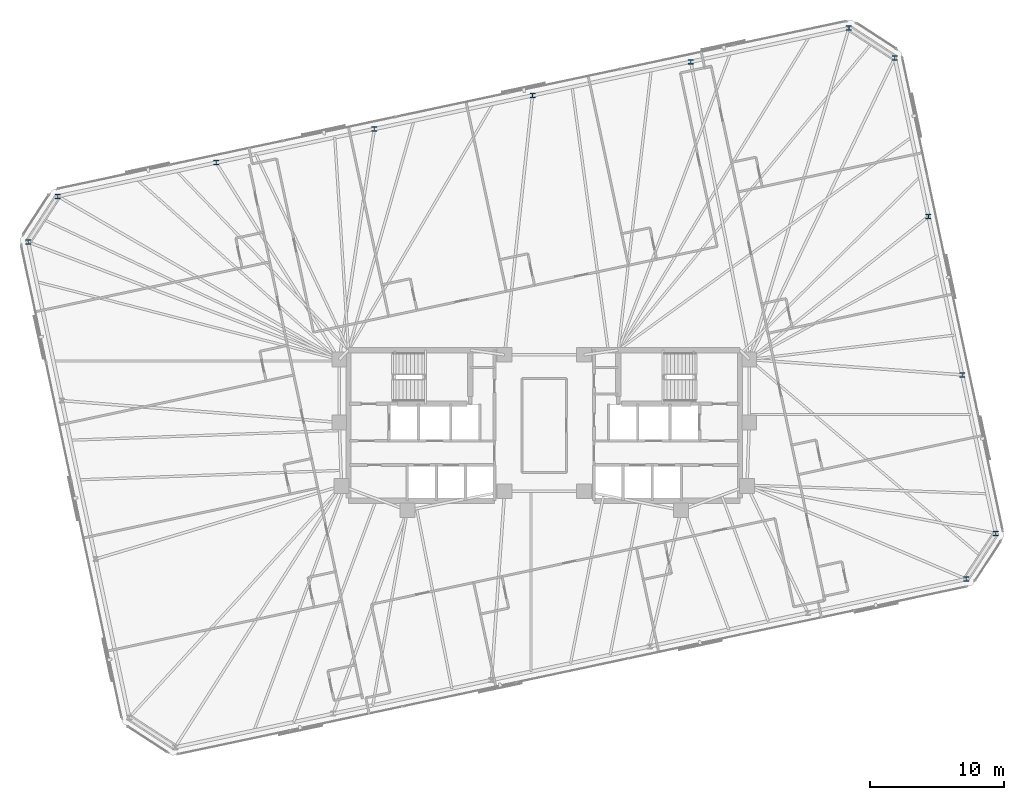
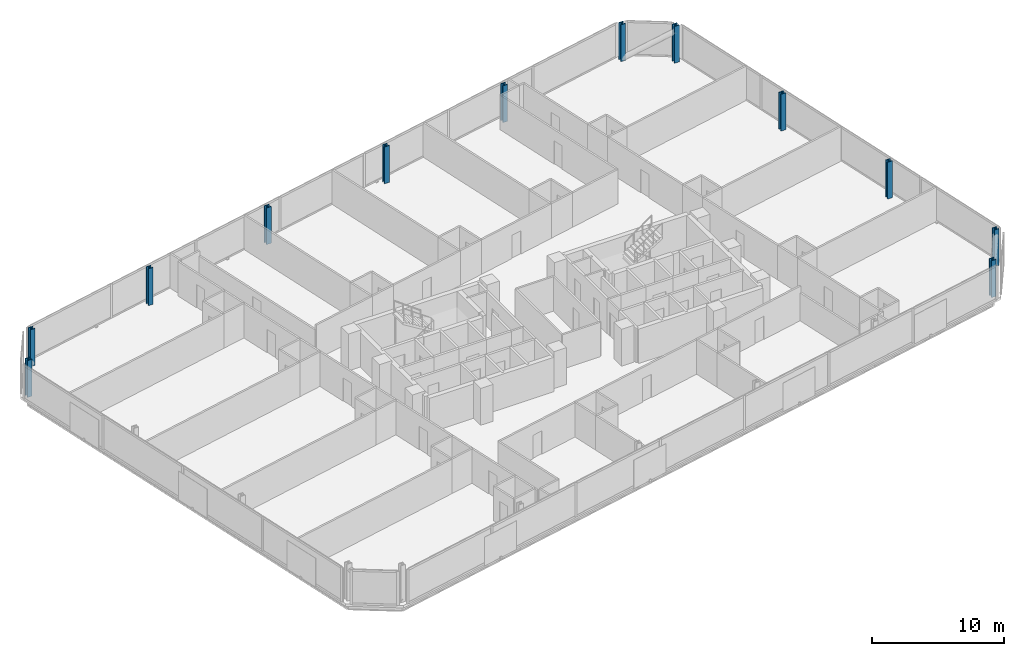
# One storey, part 5 of 19: 12 columns.
"""IFC4 building model written with IfcOpenShell, lengths in metres."""

import ifcopenshell
import ifcopenshell.guid

model = None  # the IFC model being written
_history = None  # IfcOwnerHistory: only IFC2X3 demands one
_inside = {}  # id of a spatial element -> (the spatial element, [elements in it])
_under = {}  # id of a project, library or spatial element -> (it, [spatial elements below it])
_declared = {}  # id of a project -> (the project, [libraries it declares])
_typed = {}  # id of a type object -> (the type object, [elements of that type])
_made_of = {}  # id of a material, layer set ... -> (it, [elements and type objects made of it])


def new_model(schema):
    """Start an empty IFC model of exactly this schema.

    Asked for "IFC4X3", IfcOpenShell would pick the latest addendum, in which some entities
    have other attributes; the version numbers below select the first issue.
    IFC2X3 requires an IfcOwnerHistory on every rooted entity: one is made here for all.
    """
    global model, _history
    if schema == "IFC4X3":
        model = ifcopenshell.file(schema_version=(4, 3, 0, 0))
    else:
        model = ifcopenshell.file(schema=schema)
    _inside.clear()
    _under.clear()
    _declared.clear()
    _typed.clear()
    _made_of.clear()
    _history = None
    if model.schema == "IFC2X3":
        org = make("IfcOrganization", Name="unknown")
        user = make(
            "IfcPersonAndOrganization",
            ThePerson=make("IfcPerson", FamilyName="unknown"),
            TheOrganization=org,
        )
        app = make(
            "IfcApplication",
            ApplicationDeveloper=org,
            Version="unknown",
            ApplicationFullName="unknown",
            ApplicationIdentifier="unknown",
        )
        _history = make(
            "IfcOwnerHistory",
            OwningUser=user,
            OwningApplication=app,
            ChangeAction="ADDED",
            CreationDate=0,
        )
    return model


def make(cls, **values):
    """One entity of the class cls with the attributes given. An attribute that is None is left unset."""
    return model.create_entity(
        cls, **{name: value for name, value in values.items() if value is not None}
    )


def rooted(cls, **values):
    """An entity with a GlobalId (a new one), such as an element, a storey or a relation."""
    return make(cls, GlobalId=ifcopenshell.guid.new(), OwnerHistory=_history, **values)


def si_unit(unit_type, name, prefix=None):
    """IfcSIUnit, for example si_unit("LENGTHUNIT", "METRE", prefix="MILLI")."""
    return make("IfcSIUnit", UnitType=unit_type, Prefix=prefix, Name=name)


def assignment(units):
    """IfcUnitAssignment: the units of a project."""
    return None if units is None else make("IfcUnitAssignment", Units=units)


def point(xyz):
    """IfcCartesianPoint."""
    return None if xyz is None else make("IfcCartesianPoint", Coordinates=xyz)


def direction(xyz):
    """IfcDirection."""
    return None if xyz is None else make("IfcDirection", DirectionRatios=xyz)


def frame(location, z_axis=None, x_axis=None):
    """IfcAxis2Placement3D, a coordinate frame: its origin and axes. An axis left out is left unset."""
    return make(
        "IfcAxis2Placement3D",
        Location=point(location),
        Axis=direction(z_axis),
        RefDirection=direction(x_axis),
    )


def frame_2d(location, x_axis=None):
    """IfcAxis2Placement2D, a coordinate frame in the plane: its origin and x axis."""
    return make(
        "IfcAxis2Placement2D", Location=point(location), RefDirection=direction(x_axis)
    )


def origin():
    """The frame at (0, 0, 0) with its axes left unset."""
    return frame((0.0, 0.0, 0.0))


def origin_2d():
    """The frame at (0, 0) in the plane with its x axis left unset."""
    return frame_2d((0.0, 0.0))


def place(relative_to, where):
    """IfcLocalPlacement: puts the frame where relative to a parent placement (None: the world)."""
    return make(
        "IfcLocalPlacement", PlacementRelTo=relative_to, RelativePlacement=where
    )


def context(
    kind, dimensions, precision=None, world=None, true_north=None, identifier=None
):
    """IfcGeometricRepresentationContext, for example the 3D "Model" context."""
    return make(
        "IfcGeometricRepresentationContext",
        ContextIdentifier=identifier,
        ContextType=kind,
        CoordinateSpaceDimension=dimensions,
        Precision=precision,
        WorldCoordinateSystem=world,
        TrueNorth=true_north,
    )


def subcontext(parent, identifier, kind, view, scale=None):
    """IfcGeometricRepresentationSubContext, for example "Body" below "Model"."""
    return make(
        "IfcGeometricRepresentationSubContext",
        ContextIdentifier=identifier,
        ContextType=kind,
        ParentContext=parent,
        TargetScale=scale,
        TargetView=view,
    )


def project(units=None, contexts=None):
    """IfcProject with its units and contexts."""
    return rooted(
        "IfcProject",
        Name="project",
        RepresentationContexts=contexts,
        UnitsInContext=assignment(units),
    )


def spatial(cls, under=None, at=None, **own):
    """A site, building, storey or space (cls), placed at a placement, below another one or the project."""
    s = rooted(cls, ObjectPlacement=at, **own)
    if under is not None:
        _under.setdefault(under.id(), (under, []))[1].append(s)
    return s


def profile(cls, at=None, kind="AREA", **sizes):
    """A parametric profile (cls). Its sizes go by their IFC names, for example OverallWidth=200.0."""
    return make(cls, ProfileType=kind, Position=at, **sizes)


def i_section(**sizes):
    """IfcIShapeProfileDef."""
    return profile("IfcIShapeProfileDef", **sizes)


def extrude(swept, where, along, depth):
    """IfcExtrudedAreaSolid: the profile swept, set in the frame where, extruded along a direction by depth."""
    return make(
        "IfcExtrudedAreaSolid",
        SweptArea=swept,
        Position=where,
        ExtrudedDirection=direction(along),
        Depth=depth,
    )


def shape(context_of_items, identifier, shape_type, items):
    """IfcShapeRepresentation: the items that make up one representation, for example the "Body"."""
    return make(
        "IfcShapeRepresentation",
        ContextOfItems=context_of_items,
        RepresentationIdentifier=identifier,
        RepresentationType=shape_type,
        Items=items,
    )


def material(Name=None, Category=None):
    """IfcMaterial."""
    return make("IfcMaterial", Name=Name, Category=Category)


def material_profile(
    of_material, cross_section, Name=None, Category=None, Priority=None
):
    """IfcMaterialProfile: a cross section and its material."""
    return make(
        "IfcMaterialProfile",
        Name=Name,
        Material=of_material,
        Profile=cross_section,
        Priority=Priority,
        Category=Category,
    )


def profile_set(profiles, Name=None, composite=None):
    """IfcMaterialProfileSet."""
    return make(
        "IfcMaterialProfileSet",
        Name=Name,
        MaterialProfiles=profiles,
        CompositeProfile=composite,
    )


def made_of(thing, what):
    """Note that an element or type object is made of a material, layer set ...; save() writes the relation."""
    if what is not None:
        _made_of.setdefault(what.id(), (what, []))[1].append(thing)
    return thing


def type_object(cls, material=None, **own):
    """A type object (cls), such as IfcWallType, which elements share."""
    return made_of(rooted(cls, **own), material)


def element(
    cls,
    number,
    at=None,
    inside=None,
    cuts=None,
    type_object=None,
    material=None,
    context=None,
    identifier="Body",
    shape_type=None,
    held_by="IfcProductDefinitionShape",
    body=None,
    shapes=None,
    **own,
):
    """One element of the class cls, such as IfcWall. Its Tag is "e" and its number.

    at: its placement. inside: the storey or other place that contains it. cuts: it is an
    opening in that element (IfcRelVoidsElement). A single representation is given by context,
    identifier, shape_type and body (its items); several are given by shapes. held_by: the class
    of the entity that holds the representations. save() writes the other relations.
    """
    e = rooted(cls, Tag="e%d" % number, ObjectPlacement=at, **own)
    if body is not None:
        shapes = [shape(context, identifier, shape_type, body)]
    if shapes is not None:
        e.Representation = make(held_by, Representations=shapes)
    if inside is not None:
        _inside.setdefault(inside.id(), (inside, []))[1].append(e)
    if cuts is not None:
        rooted(
            "IfcRelVoidsElement", RelatingBuildingElement=cuts, RelatedOpeningElement=e
        )
    if type_object is not None:
        _typed.setdefault(type_object.id(), (type_object, []))[1].append(e)
    return made_of(e, material)


def aggregate(whole, parts):
    """IfcRelAggregates: a whole, such as a stair, and the parts it consists of."""
    return rooted("IfcRelAggregates", RelatingObject=whole, RelatedObjects=parts)


def save(model, path):
    """Write the relations noted so far, then the file.

    IfcRelAggregates (storeys below a building ...), IfcRelContainedInSpatialStructure (elements
    in a storey), IfcRelDefinesByType, IfcRelAssociatesMaterial and IfcRelDeclares: one each for
    every whole, place, type object, material and project.
    """
    for whole, parts in _under.values():
        aggregate(whole, parts)
    for where, things in _inside.values():
        rooted(
            "IfcRelContainedInSpatialStructure",
            RelatedElements=things,
            RelatingStructure=where,
        )
    for kind, things in _typed.values():
        rooted("IfcRelDefinesByType", RelatedObjects=things, RelatingType=kind)
    for what, things in _made_of.values():
        rooted("IfcRelAssociatesMaterial", RelatedObjects=things, RelatingMaterial=what)
    for by, libraries in _declared.values():
        rooted("IfcRelDeclares", RelatingContext=by, RelatedDefinitions=libraries)
    model.write(path)


model = new_model("IFC4")

# Units and contexts
model_context = context("Model", 3, precision=1e-05, world=origin(), true_north=direction((0.0, 1.0)))
body_context = subcontext(model_context, "Body", "Model", "MODEL_VIEW")
ifc_project = project(units=[si_unit("LENGTHUNIT", "METRE"), si_unit("AREAUNIT", "SQUARE_METRE"), si_unit("VOLUMEUNIT", "CUBIC_METRE"), si_unit("PLANEANGLEUNIT", "RADIAN"), si_unit("MASSUNIT", "GRAM", prefix="KILO")], contexts=[model_context])

# Site, building, storey
site_placement = place(None, origin())
site = spatial("IfcSite", under=ifc_project, at=site_placement, CompositionType="ELEMENT")
building_placement = place(site_placement, origin())
building = spatial("IfcBuilding", under=site, at=building_placement, Name="Menara Jurai Vektor", CompositionType="ELEMENT")
storey_placement = place(building_placement, frame((0.0, 0.0, 182.0)))
storey = spatial("IfcBuildingStorey", under=building, at=storey_placement, Name="L47", CompositionType="ELEMENT", Elevation=182.0)

# Columns
ifc_material = material(Name="Steel S460", Category="steel")
ifc_material_profile = material_profile(ifc_material, i_section(OverallWidth=0.408935546875, OverallDepth=0.3740234375, WebThickness=0.048095703125, FlangeThickness=0.076904296875, FilletRadius=0.014892578125, at=origin_2d()), Name="HD 400x634")
ifc_profile_set = profile_set([ifc_material_profile], Name="Steel S460")
column_type = type_object("IfcColumnType", Name="STR-EXO-BLK3", PredefinedType="COLUMN", material=ifc_profile_set)
for number, where, z_axis, x_axis, name in (
    (1, (31.376220703125, -11.438720703125, 0.0), (0.0, 0.0, 1.0), (1.0, 0.0, 0.0), "Exoskeleton Column BLK3-S6 L47"),
    (2, (33.588623046875, -8.031982421875, 0.0), (0.0, 0.0, 1.0), (1.0, 0.0, 0.0), "Exoskeleton Column BLK3-E1 L47"),
    (3, (31.082763671875, 3.75634765625, 0.0), (0.0, 0.0, 1.0), (1.0, 0.0, 0.0), "Exoskeleton Column BLK3-E2 L47"),
    (4, (28.5771484375, 15.544921875, 0.0), (0.0, 0.0, 1.0), (1.0, 0.0, 0.0), "Exoskeleton Column BLK3-E3 L47"),
    (5, (26.0712890625, 27.33349609375, 0.0), (0.0, 0.0, 1.0), (1.0, 0.0, 0.0), "Exoskeleton Column BLK3-E4 L47"),
    (6, (22.664794921875, 29.545654296875, 0.0), (0.0, 0.0, 1.0), (1.0, 0.0, 0.0), "Exoskeleton Column BLK3-N1 L47"),
    (7, (10.896484375, 27.044189453125, 0.0), (0.0, 0.0, 1.0), (1.0, 0.0, 0.0), "Exoskeleton Column BLK3-N2 L47"),
    (8, (-0.87158203125, 24.54296875, 0.0), (0.0, 0.0, 1.0), (1.0, 0.0, 0.0), "Exoskeleton Column BLK3-N3 L47"),
    (9, (-12.639892578125, 22.04150390625, 0.0), (0.0, 0.0, 1.0), (1.0, 0.0, 0.0), "Exoskeleton Column BLK3-N4 L47"),
    (10, (-24.407958984375, 19.5400390625, 0.0), (0.0, 0.0, 1.0), (1.0, 0.0, 0.0), "Exoskeleton Column BLK3-N5 L47"),
    (11, (-36.17626953125, 17.03857421875, 0.0), (0.0, 0.0, 1.0), (1.0, 0.0, 0.0), "Exoskeleton Column BLK3-N6 L47"),
    (12, (-38.388671875, 13.632080078125, 0.0), (0.0, 0.0, 1.0), (1.0, 0.0, 0.0), "Exoskeleton Column BLK3-W1 L47"),
):
    element("IfcColumn", number, at=place(storey_placement, frame(where, z_axis=z_axis, x_axis=x_axis)), inside=storey, type_object=column_type, Name=name, PredefinedType="COLUMN", context=body_context, shape_type="SweptSolid", body=[
        extrude(i_section(OverallWidth=0.408935546875, OverallDepth=0.3740234375, WebThickness=0.048095703125, FlangeThickness=0.076904296875, FilletRadius=0.014892578125, at=origin_2d()), origin(), (0.0, 0.0, 1.0), 3.39990234375),
    ])

save(model, "model.ifc")
